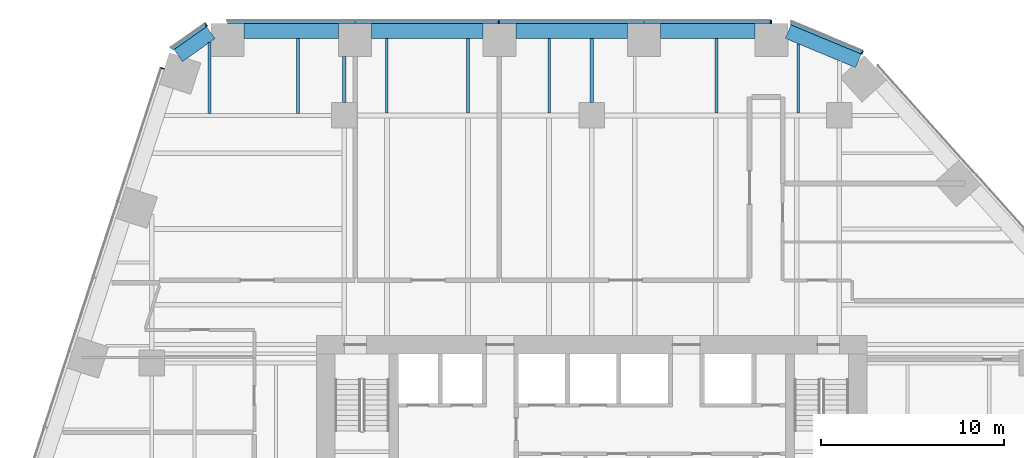
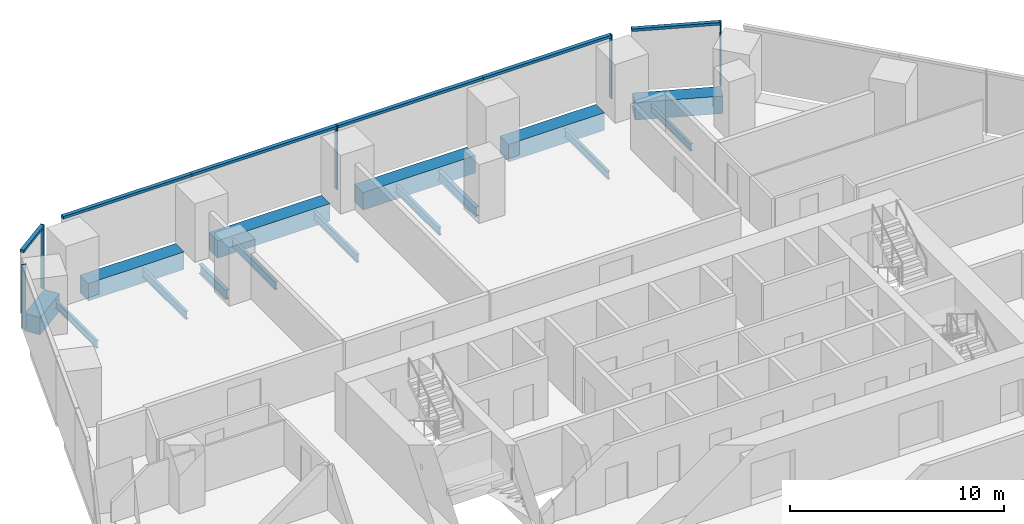
# One storey, part 12 of 20: 15 beams, 11 members, 4 elements without a shape of their own.
"""IFC4 building model written with IfcOpenShell, lengths in metres."""

from ifc_helpers import new_model, si_unit, direction, frame, origin, origin_2d, place, context, subcontext, project, spatial, rectangle, i_section, extrude, material, layer, layer_set, material_profile, profile_set, type_object, element, aggregate, save


model = new_model("IFC4")

# Units and contexts
model_context = context("Model", 3, precision=1e-05, world=origin(), true_north=direction((0.0, 1.0)))
body_context = subcontext(model_context, "Body", "Model", "MODEL_VIEW")
ifc_project = project(units=[si_unit("LENGTHUNIT", "METRE"), si_unit("AREAUNIT", "SQUARE_METRE"), si_unit("VOLUMEUNIT", "CUBIC_METRE"), si_unit("PLANEANGLEUNIT", "RADIAN"), si_unit("MASSUNIT", "GRAM", prefix="KILO")], contexts=[model_context])

# Site, building, storey
site_placement = place(None, origin())
site = spatial("IfcSite", under=ifc_project, at=site_placement, CompositionType="ELEMENT")
building_placement = place(site_placement, origin())
building = spatial("IfcBuilding", under=site, at=building_placement, Name="Isthmus Gate Tower", CompositionType="ELEMENT")
storey_placement = place(building_placement, frame((0.0, 0.0, 72.5)))
storey = spatial("IfcBuildingStorey", under=building, at=storey_placement, Name="L16", CompositionType="ELEMENT", Elevation=72.5)

# Curtain wall, members
ifc_material_1 = material(Name="Aluminium, pale champagne anodised", Category="aluminium")
ifc_layer = layer(ifc_material_1, 0.199951171875)
ifc_layer_set = layer_set([ifc_layer], Name="CW-1 UNITISED CURTAIN WALL 200 DEEP")
curtain_wall_type = type_object("IfcCurtainWallType", Name="CW-1 UNITISED CURTAIN WALL 200 DEEP", PredefinedType="NOTDEFINED", material=ifc_layer_set)
curtain_wall_1_placement = place(storey_placement, origin())
curtain_wall_1 = element("IfcCurtainWall", 1, at=curtain_wall_1_placement, inside=storey, type_object=curtain_wall_type, Name="CW-1 N L16", PredefinedType="NOTDEFINED")
ifc_material_2 = material(Name="Aluminium, pale champagne anodised", Category="aluminium")
ifc_material_profile_1 = material_profile(ifc_material_2, rectangle(XDim=0.06005859375, YDim=0.199951171875, at=origin_2d()), Name="60x200")
ifc_profile_set_1 = profile_set([ifc_material_profile_1], Name="Aluminium, pale champagne anodised")
member_type_1 = type_object("IfcMemberType", Name="CW-1 MULLION 60 X 200", PredefinedType="MULLION", material=ifc_profile_set_1)
member_1_placement = place(storey_placement, frame((9.77197265625, 32.10009765625, 0.0), z_axis=(0.0, 0.0, 1.0), x_axis=(-1.0, 0.0, 0.0)))
member_1 = element("IfcMember", 2, at=member_1_placement, type_object=member_type_1, Name="CW-1 mullion", PredefinedType="MULLION", context=body_context, shape_type="SweptSolid", body=[
    extrude(rectangle(XDim=0.06005859375, YDim=0.199951171875, at=origin_2d()), origin(), (0.0, 0.0, 1.0), 3.64990234375),
])
member_2_placement = place(storey_placement, frame((-5.067138671875, 32.10009765625, 0.0), z_axis=(0.0, 0.0, 1.0), x_axis=(-1.0, 0.0, 0.0)))
member_2 = element("IfcMember", 3, at=member_2_placement, type_object=member_type_1, Name="CW-1 mullion", PredefinedType="MULLION", context=body_context, shape_type="SweptSolid", body=[
    extrude(rectangle(XDim=0.06005859375, YDim=0.199951171875, at=origin_2d()), origin(), (0.0, 0.0, 1.0), 3.64990234375),
])

# Curtain wall, member
curtain_wall_2_placement = place(storey_placement, origin())
curtain_wall_2 = element("IfcCurtainWall", 4, at=curtain_wall_2_placement, inside=storey, type_object=curtain_wall_type, Name="CW-1 N-NW L16", PredefinedType="NOTDEFINED")
member_3_placement = place(storey_placement, frame((-21.031005859375, 31.943115234375, 0.0), z_axis=(0.0, 0.0, 1.0), x_axis=(-0.81785959165, -0.57541783805, 0.0)))
member_3 = element("IfcMember", 5, at=member_3_placement, type_object=member_type_1, Name="CW-1 mullion", PredefinedType="MULLION", context=body_context, shape_type="SweptSolid", body=[
    extrude(rectangle(XDim=0.06005859375, YDim=0.199951171875, at=origin_2d()), origin(), (0.0, 0.0, 1.0), 3.64990234375),
])

curtain_wall_3_placement = place(storey_placement, origin())
curtain_wall_3 = element("IfcCurtainWall", 6, at=curtain_wall_3_placement, inside=storey, type_object=curtain_wall_type, Name="CW-1 NW L16", PredefinedType="NOTDEFINED")
member_4_placement = place(storey_placement, frame((-23.41162109375, 29.561279296875, 0.0), z_axis=(0.0, 0.0, 1.0), x_axis=(-0.309016994375, -0.951056516295, 0.0)))
member_4 = element("IfcMember", 7, at=member_4_placement, type_object=member_type_1, Name="CW-1 mullion", PredefinedType="MULLION", context=body_context, shape_type="SweptSolid", body=[
    extrude(rectangle(XDim=0.06005859375, YDim=0.199951171875, at=origin_2d()), origin(), (0.0, 0.0, 1.0), 3.64990234375),
])
aggregate(curtain_wall_3, [member_4])

curtain_wall_4_placement = place(storey_placement, origin())
curtain_wall_4 = element("IfcCurtainWall", 8, at=curtain_wall_4_placement, inside=storey, type_object=curtain_wall_type, Name="CW-1 NE-N L16", PredefinedType="NOTDEFINED")
member_5_placement = place(storey_placement, frame((14.744140625, 30.427490234375, 0.0), z_axis=(0.0, 0.0, 1.0), x_axis=(-0.923353128387, 0.383951820282, 0.0)))
member_5 = element("IfcMember", 9, at=member_5_placement, type_object=member_type_1, Name="CW-1 mullion", PredefinedType="MULLION", context=body_context, shape_type="SweptSolid", body=[
    extrude(rectangle(XDim=0.06005859375, YDim=0.199951171875, at=origin_2d()), origin(), (0.0, 0.0, 1.0), 3.64990234375),
])

# Member
ifc_material_3 = material(Name="Aluminium, pale champagne anodised", Category="aluminium")
ifc_material_profile_2 = material_profile(ifc_material_3, rectangle(XDim=0.199951171875, YDim=0.14990234375, at=origin_2d()), Name="200x150")
ifc_profile_set_2 = profile_set([ifc_material_profile_2], Name="Aluminium, pale champagne anodised")
member_type_2 = type_object("IfcMemberType", Name="CW-1 TRANSOM 200 X 150", PredefinedType="USERDEFINED", material=ifc_profile_set_2)
member_6_placement = place(storey_placement, frame((9.741943359375, 32.10009765625, 3.574951171875), z_axis=(-1.0, 0.0, 0.0), x_axis=(0.0, -1.0, 0.0)))
member_6 = element("IfcMember", 10, at=member_6_placement, type_object=member_type_2, Name="CW-1 transom", ObjectType="TRANSOM", PredefinedType="USERDEFINED", context=body_context, shape_type="SweptSolid", body=[
    extrude(rectangle(XDim=0.199951171875, YDim=0.14990234375, at=origin_2d()), origin(), (0.0, 0.0, 1.0), 6.90966796875),
])

member_7_placement = place(storey_placement, frame((2.832275390625, 32.10009765625, 3.574951171875), z_axis=(-1.0, 0.0, 0.0), x_axis=(0.0, -1.0, 0.0)))
member_7 = element("IfcMember", 11, at=member_7_placement, type_object=member_type_2, Name="CW-1 transom", ObjectType="TRANSOM", PredefinedType="USERDEFINED", context=body_context, shape_type="SweptSolid", body=[
    extrude(rectangle(XDim=0.199951171875, YDim=0.14990234375, at=origin_2d()), origin(), (0.0, 0.0, 1.0), 7.869384765625),
])

member_8_placement = place(storey_placement, frame((-5.09716796875, 32.10009765625, 3.574951171875), z_axis=(-1.0, 0.0, 0.0), x_axis=(0.0, -1.0, 0.0)))
member_8 = element("IfcMember", 12, at=member_8_placement, type_object=member_type_2, Name="CW-1 transom", ObjectType="TRANSOM", PredefinedType="USERDEFINED", context=body_context, shape_type="SweptSolid", body=[
    extrude(rectangle(XDim=0.199951171875, YDim=0.14990234375, at=origin_2d()), origin(), (0.0, 0.0, 1.0), 7.8095703125),
])

member_9_placement = place(storey_placement, frame((-12.90673828125, 32.10009765625, 3.574951171875), z_axis=(-1.0, 0.0, 0.0), x_axis=(0.0, -1.0, 0.0)))
member_9 = element("IfcMember", 13, at=member_9_placement, type_object=member_type_2, Name="CW-1 transom", ObjectType="TRANSOM", PredefinedType="USERDEFINED", context=body_context, shape_type="SweptSolid", body=[
    extrude(rectangle(XDim=0.199951171875, YDim=0.14990234375, at=origin_2d()), origin(), (0.0, 0.0, 1.0), 6.969482421875),
])

aggregate(curtain_wall_1, [member_1, member_6, member_7, member_2, member_8, member_9])

member_10_placement = place(storey_placement, frame((-21.055419921875, 31.92578125, 3.574951171875), z_axis=(-0.817868595604, -0.575405040233, 0.0), x_axis=(0.575405040233, -0.817868595604, 0.0)))
member_10 = element("IfcMember", 14, at=member_10_placement, type_object=member_type_2, Name="CW-1 transom", ObjectType="TRANSOM", PredefinedType="USERDEFINED", context=body_context, shape_type="SweptSolid", body=[
    extrude(rectangle(XDim=0.199951171875, YDim=0.14990234375, at=origin_2d()), origin(), (0.0, 0.0, 1.0), 2.258544921875),
])

aggregate(curtain_wall_2, [member_3, member_10])

member_11_placement = place(storey_placement, frame((14.716552734375, 30.43896484375, 3.574951171875), z_axis=(-0.923358236369, 0.383939536033, 0.0), x_axis=(-0.383939536033, -0.923358236369, 0.0)))
member_11 = element("IfcMember", 15, at=member_11_placement, type_object=member_type_2, Name="CW-1 transom", ObjectType="TRANSOM", PredefinedType="USERDEFINED", context=body_context, shape_type="SweptSolid", body=[
    extrude(rectangle(XDim=0.199951171875, YDim=0.14990234375, at=origin_2d()), origin(), (0.0, 0.0, 1.0), 4.181640625),
])

aggregate(curtain_wall_4, [member_5, member_11])

# Beams
ifc_material_4 = material(Name="Concrete f'c 70 MPa", Category="concrete")
ifc_material_profile_3 = material_profile(ifc_material_4, rectangle(XDim=0.800048828125, YDim=1.0, at=origin_2d()), Name="RC 800X1000")
ifc_profile_set_3 = profile_set([ifc_material_profile_3], Name="Concrete f'c 70 MPa")
beam_type_1 = type_object("IfcBeamType", Name="RC SPANDREL 800 X 1000", PredefinedType="SPANDREL", material=ifc_profile_set_3)
beam_1_placement = place(storey_placement, frame((10.701904296875, 31.56689453125, -0.5), z_axis=(0.923334166719, -0.383997417399, 0.0), x_axis=(0.383997417399, 0.923334166719, 0.0)))
element("IfcBeam", 16, at=beam_1_placement, inside=storey, type_object=beam_type_1, Name="str-spandrel-L16-00", PredefinedType="SPANDREL", context=body_context, shape_type="SweptSolid", body=[
    extrude(rectangle(XDim=0.800048828125, YDim=1.0, at=origin_2d()), origin(), (0.0, 0.0, 1.0), 4.15234375),
])
beam_2_placement = place(storey_placement, frame((-22.553466796875, 30.260498046875, -0.5), z_axis=(0.817857331203, 0.575421050882, 0.0), x_axis=(-0.575421050882, 0.817857331203, 0.0)))
element("IfcBeam", 17, at=beam_2_placement, inside=storey, type_object=beam_type_1, Name="str-spandrel-L16-22", PredefinedType="SPANDREL", context=body_context, shape_type="SweptSolid", body=[
    extrude(rectangle(XDim=0.800048828125, YDim=1.0, at=origin_2d()), origin(), (0.0, 0.0, 1.0), 2.173095703125),
])
beam_3_placement = place(storey_placement, frame((-18.976318359375, 31.60009765625, -0.5), z_axis=(1.0, 0.0, 0.0), x_axis=(0.0, 1.0, 0.0)))
element("IfcBeam", 18, at=beam_3_placement, inside=storey, type_object=beam_type_1, Name="str-spandrel-L16-23", PredefinedType="SPANDREL", context=body_context, shape_type="SweptSolid", body=[
    extrude(rectangle(XDim=0.800048828125, YDim=1.0, at=origin_2d()), origin(), (0.0, 0.0, 1.0), 5.169677734375),
])
beam_4_placement = place(storey_placement, frame((-12.006591796875, 31.60009765625, -0.5), z_axis=(1.0, 0.0, 0.0), x_axis=(0.0, 1.0, 0.0)))
element("IfcBeam", 19, at=beam_4_placement, inside=storey, type_object=beam_type_1, Name="str-spandrel-L16-24", PredefinedType="SPANDREL", context=body_context, shape_type="SweptSolid", body=[
    extrude(rectangle(XDim=0.800048828125, YDim=1.0, at=origin_2d()), origin(), (0.0, 0.0, 1.0), 6.0693359375),
])
beam_5_placement = place(storey_placement, frame((-4.13720703125, 31.60009765625, -0.5), z_axis=(1.0, 0.0, 0.0), x_axis=(0.0, 1.0, 0.0)))
element("IfcBeam", 20, at=beam_5_placement, inside=storey, type_object=beam_type_1, Name="str-spandrel-L16-25", PredefinedType="SPANDREL", context=body_context, shape_type="SweptSolid", body=[
    extrude(rectangle(XDim=0.800048828125, YDim=1.0, at=origin_2d()), origin(), (0.0, 0.0, 1.0), 6.069580078125),
])
beam_6_placement = place(storey_placement, frame((3.732421875, 31.60009765625, -0.5), z_axis=(1.0, 0.0, 0.0), x_axis=(0.0, 1.0, 0.0)))
element("IfcBeam", 21, at=beam_6_placement, inside=storey, type_object=beam_type_1, Name="str-spandrel-L16-26", PredefinedType="SPANDREL", context=body_context, shape_type="SweptSolid", body=[
    extrude(rectangle(XDim=0.800048828125, YDim=1.0, at=origin_2d()), origin(), (0.0, 0.0, 1.0), 5.16943359375),
])
ifc_material_5 = material(Name="Structural steel ASTM A992 Gr 50", Category="steel")
ifc_material_profile_4 = material_profile(ifc_material_5, i_section(OverallWidth=0.1396484375, OverallDepth=0.4033203125, WebThickness=0.00634765625, FlangeThickness=0.010986328125, at=origin_2d()), Name="W16X31")
ifc_profile_set_4 = profile_set([ifc_material_profile_4], Name="Structural steel ASTM A992 Gr 50")
beam_type_2 = type_object("IfcBeamType", Name="STEEL FLOOR BEAM W16X31", PredefinedType="JOIST", material=ifc_profile_set_4)
beam_7_placement = place(storey_placement, frame((-20.846435546875, 27.1142578125, -0.3515625), z_axis=(0.0, 1.0, 0.0), x_axis=(-1.0, 0.0, 0.0)))
element("IfcBeam", 22, at=beam_7_placement, inside=storey, type_object=beam_type_2, Name="str-beam-L16-08-00", PredefinedType="JOIST", context=body_context, shape_type="SweptSolid", body=[
    extrude(i_section(OverallWidth=0.1396484375, OverallDepth=0.4033203125, WebThickness=0.00634765625, FlangeThickness=0.010986328125, at=origin_2d()), origin(), (0.0, 0.0, 1.0), 3.858154296875),
])
beam_8_placement = place(storey_placement, frame((11.267578125, 27.1318359375, -0.3515625), z_axis=(0.0, 1.0, 0.0), x_axis=(-1.0, 0.0, 0.0)))
element("IfcBeam", 23, at=beam_8_placement, inside=storey, type_object=beam_type_2, Name="str-beam-L16-19-02", PredefinedType="JOIST", context=body_context, shape_type="SweptSolid", body=[
    extrude(i_section(OverallWidth=0.1396484375, OverallDepth=0.4033203125, WebThickness=0.00634765625, FlangeThickness=0.010986328125, at=origin_2d()), origin(), (0.0, 0.0, 1.0), 3.7666015625),
])
ifc_material_6 = material(Name="Structural steel ASTM A992 Gr 50", Category="steel")
ifc_material_profile_5 = material_profile(ifc_material_6, i_section(OverallWidth=0.15234375, OverallDepth=0.45068359375, WebThickness=0.0078125, FlangeThickness=0.010986328125, at=origin_2d()), Name="W18X35")
ifc_profile_set_5 = profile_set([ifc_material_profile_5], Name="Structural steel ASTM A992 Gr 50")
beam_type_3 = type_object("IfcBeamType", Name="STEEL FLOOR BEAM W18X35", PredefinedType="JOIST", material=ifc_profile_set_5)
beam_9_placement = place(storey_placement, frame((-16.0185546875, 27.1142578125, -0.37548828125), z_axis=(0.0, 1.0, 0.0), x_axis=(-1.0, 0.0, 0.0)))
element("IfcBeam", 24, at=beam_9_placement, inside=storey, type_object=beam_type_3, Name="str-beam-L16-08-01", PredefinedType="JOIST", context=body_context, shape_type="SweptSolid", body=[
    extrude(i_section(OverallWidth=0.15234375, OverallDepth=0.45068359375, WebThickness=0.0078125, FlangeThickness=0.010986328125, at=origin_2d()), origin(), (0.0, 0.0, 1.0), 4.085693359375),
])
for number, where, z_axis, x_axis, name in (
    (25, (-11.18017578125, 27.1318359375, -0.37548828125), (0.0, 1.0, 0.0), (-1.0, 0.0, 0.0), "str-beam-L16-14-00"),
    (26, (-6.75, 27.1318359375, -0.37548828125), (0.0, 1.0, 0.0), (-1.0, 0.0, 0.0), "str-beam-L16-14-01"),
    (27, (-2.31982421875, 27.1318359375, -0.37548828125), (0.0, 1.0, 0.0), (-1.0, 0.0, 0.0), "str-beam-L16-14-02"),
    (28, (6.802490234375, 27.1318359375, -0.37548828125), (0.0, 1.0, 0.0), (-1.0, 0.0, 0.0), "str-beam-L16-19-01"),
):
    element("IfcBeam", number, at=place(storey_placement, frame(where, z_axis=z_axis, x_axis=x_axis)), inside=storey, type_object=beam_type_3, Name=name, PredefinedType="JOIST", context=body_context, shape_type="SweptSolid", body=[
        extrude(i_section(OverallWidth=0.15234375, OverallDepth=0.45068359375, WebThickness=0.0078125, FlangeThickness=0.010986328125, at=origin_2d()), origin(), (0.0, 0.0, 1.0), 4.068115234375),
    ])
ifc_material_7 = material(Name="Structural steel ASTM A992 Gr 50", Category="steel")
ifc_material_profile_6 = material_profile(ifc_material_7, i_section(OverallWidth=0.20947265625, OverallDepth=0.533447265625, WebThickness=0.009521484375, FlangeThickness=0.015869140625, at=origin_2d()), Name="W21X62")
ifc_profile_set_6 = profile_set([ifc_material_profile_6], Name="Structural steel ASTM A992 Gr 50")
beam_type_4 = type_object("IfcBeamType", Name="STEEL GIRDER W21X62", PredefinedType="BEAM", material=ifc_profile_set_6)
beam_10_placement = place(storey_placement, frame((-13.5, 27.699951171875, -0.416748046875), z_axis=(0.0, 1.0, 0.0), x_axis=(-1.0, 0.0, 0.0)))
element("IfcBeam", 29, at=beam_10_placement, inside=storey, type_object=beam_type_4, Name="str-girder-L16-27", PredefinedType="BEAM", context=body_context, shape_type="SweptSolid", body=[
    extrude(i_section(OverallWidth=0.20947265625, OverallDepth=0.533447265625, WebThickness=0.009521484375, FlangeThickness=0.015869140625, at=origin_2d()), origin(), (0.0, 0.0, 1.0), 2.5),
])
beam_11_placement = place(storey_placement, frame((0.0, 27.699951171875, -0.416748046875), z_axis=(0.0, 1.0, 0.0), x_axis=(-1.0, 0.0, 0.0)))
element("IfcBeam", 30, at=beam_11_placement, inside=storey, type_object=beam_type_4, Name="str-girder-L16-30", PredefinedType="BEAM", context=body_context, shape_type="SweptSolid", body=[
    extrude(i_section(OverallWidth=0.20947265625, OverallDepth=0.533447265625, WebThickness=0.009521484375, FlangeThickness=0.015869140625, at=origin_2d()), origin(), (0.0, 0.0, 1.0), 3.5),
])

save(model, "model.ifc")
